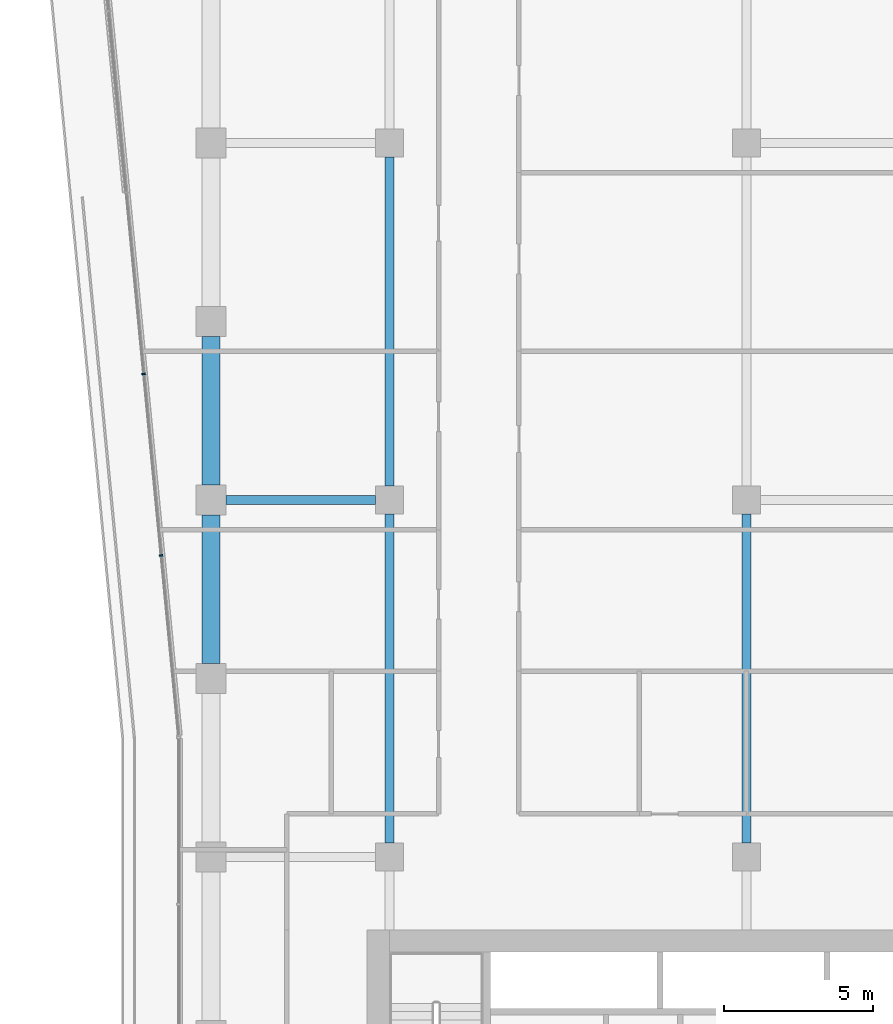
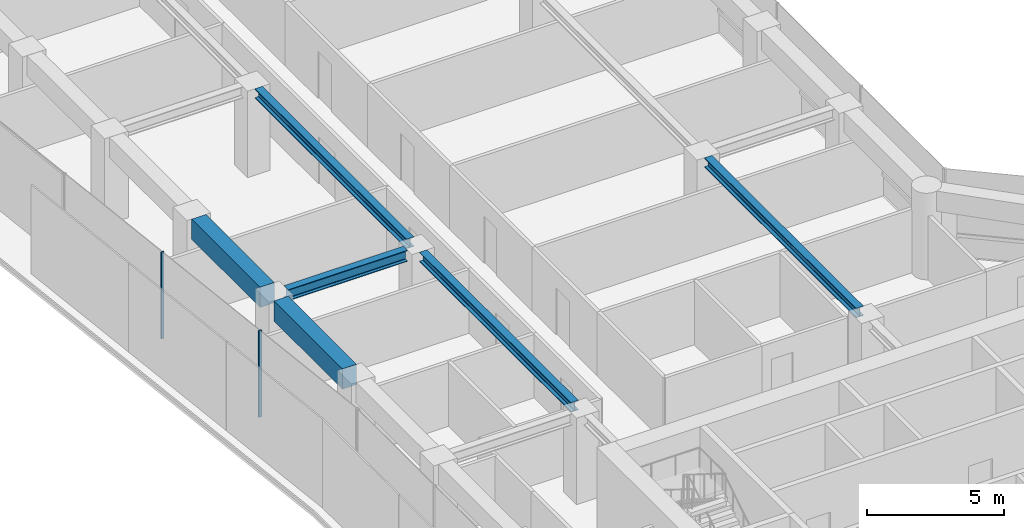
# One storey, part 10 of 28: 6 beams, 2 members, 1 element without a shape of its own.
"""IFC4 building model written with IfcOpenShell, lengths in metres."""

from ifc_helpers import new_model, si_unit, direction, frame, origin, origin_2d, place, context, subcontext, project, spatial, rectangle, i_section, extrude, material, layer, layer_set, material_profile, profile_set, type_object, element, aggregate, save


model = new_model("IFC4")

# Units and contexts
model_context = context("Model", 3, precision=1e-05, world=origin(), true_north=direction((0.0, 1.0)))
body_context = subcontext(model_context, "Body", "Model", "MODEL_VIEW")
ifc_project = project(units=[si_unit("LENGTHUNIT", "METRE"), si_unit("AREAUNIT", "SQUARE_METRE"), si_unit("VOLUMEUNIT", "CUBIC_METRE"), si_unit("PLANEANGLEUNIT", "RADIAN"), si_unit("MASSUNIT", "GRAM", prefix="KILO")], contexts=[model_context])

# Site, building, storey
site_placement = place(None, origin())
site = spatial("IfcSite", under=ifc_project, at=site_placement, CompositionType="ELEMENT")
building_placement = place(site_placement, origin())
building = spatial("IfcBuilding", under=site, at=building_placement, Name="Welwitschia Terrace Campus", CompositionType="ELEMENT")
storey_placement = place(building_placement, frame((0.0, 0.0, 87.800048828125)))
storey = spatial("IfcBuildingStorey", under=building, at=storey_placement, Name="L19", CompositionType="ELEMENT", Elevation=87.800048828125)

# Beams
ifc_material_1 = material(Name="Steel S355", Category="steel")
ifc_material_profile_1 = material_profile(ifc_material_1, i_section(OverallWidth=0.306884765625, OverallDepth=0.431884765625, WebThickness=0.02099609375, FlangeThickness=0.0400390625, FilletRadius=0.027099609375, at=origin_2d()))
ifc_profile_set_1 = profile_set([ifc_material_profile_1], Name="Steel S355")
beam_type_1 = type_object("IfcBeamType", Name="Interior girder HE 400 M", PredefinedType="BEAM", material=ifc_profile_set_1)
for number, where, z_axis, x_axis, name in (
    (1, (6.0, 28.4755859375, 3.634033203125), (0.0, 1.0, 0.0), (-1.0, 0.0, 0.0), "Girder GB3"),
    (2, (6.0, 40.4755859375, 3.634033203125), (0.0, 1.0, 0.0), (-1.0, 0.0, 0.0), "Girder GB3"),
    (3, (18.0, 28.4755859375, 3.634033203125), (0.0, 1.0, 0.0), (-1.0, 0.0, 0.0), "Girder GB3"),
):
    element("IfcBeam", number, at=place(storey_placement, frame(where, z_axis=z_axis, x_axis=x_axis)), inside=storey, type_object=beam_type_1, Name=name, PredefinedType="BEAM", context=body_context, shape_type="SweptSolid", body=[
        extrude(i_section(OverallWidth=0.306884765625, OverallDepth=0.431884765625, WebThickness=0.02099609375, FlangeThickness=0.0400390625, FilletRadius=0.027099609375, at=origin_2d()), origin(), (0.0, 0.0, 1.0), 11.048828125),
    ])

# Curtain wall, members
ifc_material_2 = material(Name="Bronze anodised aluminium", Category="aluminium")
ifc_layer = layer(ifc_material_2, 0.1201171875)
ifc_layer_set = layer_set([ifc_layer], Name="Bronze anodised aluminium")
curtain_wall_type = type_object("IfcCurtainWallType", Name="Curtain wall CW2 tower 6000", PredefinedType="NOTDEFINED", material=ifc_layer_set)
curtain_wall_placement = place(storey_placement, origin())
curtain_wall = element("IfcCurtainWall", 4, at=curtain_wall_placement, inside=storey, type_object=curtain_wall_type, Name="CW L19.0.0", PredefinedType="NOTDEFINED")
ifc_material_3 = material(Name="Bronze anodised aluminium", Category="aluminium")
ifc_material_profile_2 = material_profile(ifc_material_3, rectangle(XDim=0.1201171875, YDim=0.06005859375, at=origin_2d()))
ifc_profile_set_2 = profile_set([ifc_material_profile_2], Name="Bronze anodised aluminium")
member_type = type_object("IfcMemberType", Name="Mullion 60x120", PredefinedType="MULLION", material=ifc_profile_set_2)
member_1_placement = place(storey_placement, frame((-2.260498046875, 44.237060546875, 0.0), z_axis=(0.0, 0.0, 1.0), x_axis=(0.995396198367, 0.09584575252, 0.0)))
member_1 = element("IfcMember", 5, at=member_1_placement, type_object=member_type, Name="Mullion L19.0.0.4", PredefinedType="MULLION", context=body_context, shape_type="SweptSolid", body=[
    extrude(rectangle(XDim=0.1201171875, YDim=0.06005859375, at=origin_2d()), origin(), (0.0, 0.0, 1.0), 3.849853515625),
])
member_2_placement = place(storey_placement, frame((-1.67333984375, 38.137939453125, 0.0), z_axis=(0.0, 0.0, 1.0), x_axis=(0.995396198367, 0.09584575252, 0.0)))
member_2 = element("IfcMember", 6, at=member_2_placement, type_object=member_type, Name="Mullion L19.0.0.5", PredefinedType="MULLION", context=body_context, shape_type="SweptSolid", body=[
    extrude(rectangle(XDim=0.1201171875, YDim=0.06005859375, at=origin_2d()), origin(), (0.0, 0.0, 1.0), 3.849853515625),
])
aggregate(curtain_wall, [member_1, member_2])

# Beams
ifc_material_4 = material(Name="Steel S355", Category="steel")
ifc_material_profile_3 = material_profile(ifc_material_4, i_section(OverallWidth=0.300048828125, OverallDepth=0.5, WebThickness=0.014404296875, FlangeThickness=0.028076171875, FilletRadius=0.027099609375, at=origin_2d()))
ifc_profile_set_3 = profile_set([ifc_material_profile_3], Name="Steel S355")
beam_type_2 = type_object("IfcBeamType", Name="Primary beam HE 500 B", PredefinedType="BEAM", material=ifc_profile_set_3)
beam_placement = place(storey_placement, frame((0.50048828125, 40.0, 3.599853515625), z_axis=(1.0, 0.0, 0.0), x_axis=(0.0, 1.0, 0.0)))
element("IfcBeam", 7, at=beam_placement, inside=storey, type_object=beam_type_2, Name="Primary beam PB3", PredefinedType="BEAM", context=body_context, shape_type="SweptSolid", body=[
    extrude(i_section(OverallWidth=0.300048828125, OverallDepth=0.5, WebThickness=0.014404296875, FlangeThickness=0.028076171875, FilletRadius=0.027099609375, at=origin_2d()), origin(), (0.0, 0.0, 1.0), 5.02392578125),
])
ifc_material_5 = material(Name="Concrete C60/75", Category="concrete")
ifc_material_profile_4 = material_profile(ifc_material_5, rectangle(XDim=0.60009765625, YDim=0.89990234375, at=origin_2d()))
ifc_profile_set_4 = profile_set([ifc_material_profile_4], Name="Concrete C60/75")
beam_type_3 = type_object("IfcBeamType", Name="Ring spandrel 600x900", PredefinedType="SPANDREL", material=ifc_profile_set_4)
for number, where, z_axis, x_axis, name in (
    (8, (0.0, 45.49951171875, 3.39990234375), (0.0, -1.0, 0.0), (1.0, 0.0, 0.0), "Spandrel SP2"),
    (9, (0.0, 39.49951171875, 3.39990234375), (0.0, -1.0, 0.0), (1.0, 0.0, 0.0), "Spandrel SP2"),
):
    element("IfcBeam", number, at=place(storey_placement, frame(where, z_axis=z_axis, x_axis=x_axis)), inside=storey, type_object=beam_type_3, Name=name, PredefinedType="SPANDREL", context=body_context, shape_type="SweptSolid", body=[
        extrude(rectangle(XDim=0.60009765625, YDim=0.89990234375, at=origin_2d()), origin(), (0.0, 0.0, 1.0), 4.9990234375),
    ])

save(model, "model.ifc")
